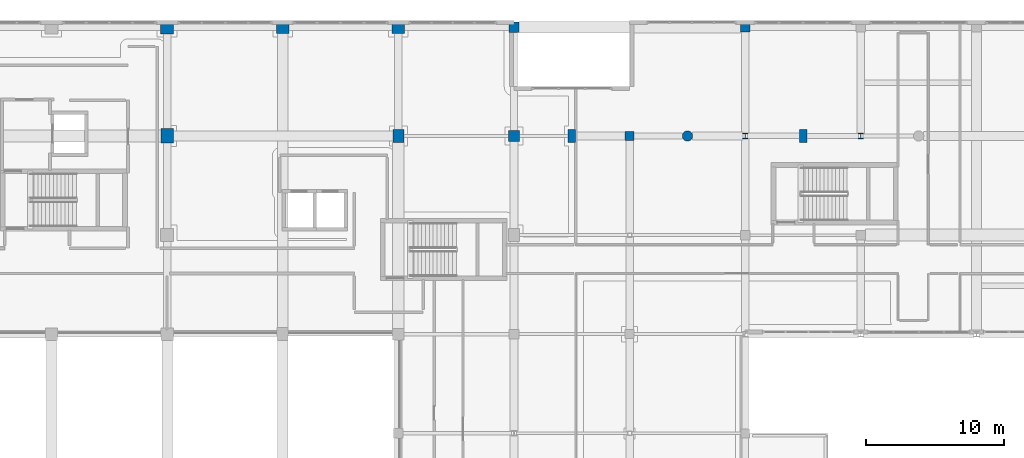
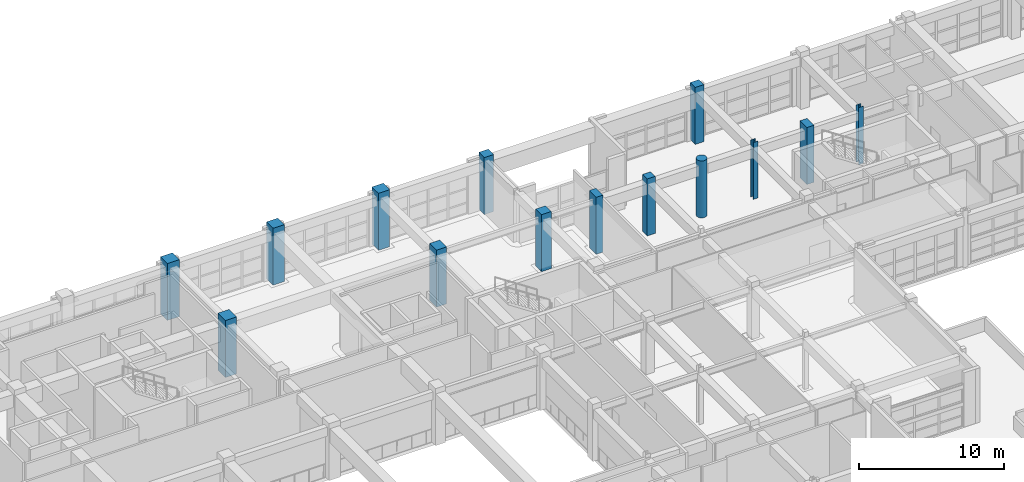
# One storey, part 12 of 123: 14 columns.
"""IFC4 building model written with IfcOpenShell, lengths in metres."""

from ifc_helpers import new_model, si_unit, direction, frame, origin, origin_2d, place, context, subcontext, project, spatial, rectangle, circle, i_section, extrude, material, material_profile, profile_set, type_object, element, save


model = new_model("IFC4")

# Units and contexts
model_context = context("Model", 3, precision=1e-05, world=origin(), true_north=direction((0.0, 1.0)))
body_context = subcontext(model_context, "Body", "Model", "MODEL_VIEW")
ifc_project = project(units=[si_unit("LENGTHUNIT", "METRE"), si_unit("AREAUNIT", "SQUARE_METRE"), si_unit("VOLUMEUNIT", "CUBIC_METRE"), si_unit("PLANEANGLEUNIT", "RADIAN"), si_unit("MASSUNIT", "GRAM", prefix="KILO")], contexts=[model_context])

# Site, building, storey
site_placement = place(None, origin())
site = spatial("IfcSite", under=ifc_project, at=site_placement, CompositionType="ELEMENT")
building_placement = place(site_placement, origin())
building = spatial("IfcBuilding", under=site, at=building_placement, Name="Quendrovan Civic Courthouse", CompositionType="ELEMENT")
storey_placement = place(building_placement, frame((0.0, 0.0, 5.39990234375)))
storey = spatial("IfcBuildingStorey", under=building, at=storey_placement, Name="L02", CompositionType="ELEMENT", Elevation=5.39990234375)

# Columns
ifc_material_1 = material(Name="Precast concrete C45/55", Category="concrete")
ifc_material_profile_1 = material_profile(ifc_material_1, circle(Radius=0.375, at=origin_2d()), Name="RC-ARCADE-D750")
ifc_profile_set_1 = profile_set([ifc_material_profile_1], Name="Precast concrete C45/55")
column_type_1 = type_object("IfcColumnType", Name="COL-ARC750", PredefinedType="PILASTER", material=ifc_profile_set_1)
column_1_placement = place(storey_placement, frame((105.0, 102.0, 0.0), z_axis=(0.0, 0.0, 1.0), x_axis=(1.0, 0.0, 0.0)))
element("IfcColumn", 1, at=column_1_placement, inside=storey, type_object=column_type_1, Name="L02 Column PIL-N4", PredefinedType="PILASTER", context=body_context, shape_type="SweptSolid", body=[
    extrude(circle(Radius=0.375, at=origin_2d()), origin(), (0.0, 0.0, 1.0), 4.800048828125),
])
ifc_material_2 = material(Name="Concrete C45/55", Category="concrete")
ifc_material_profile_2 = material_profile(ifc_material_2, rectangle(XDim=0.550048828125, YDim=0.949951171875, at=origin_2d()), Name="RC-PIER-550x950")
ifc_profile_set_2 = profile_set([ifc_material_profile_2], Name="Concrete C45/55")
column_type_2 = type_object("IfcColumnType", Name="COL-PIER950", PredefinedType="PILASTER", material=ifc_profile_set_2)
for number, where, z_axis, x_axis, name in (
    (2, (96.60009765625, 102.0, 0.0), (0.0, 0.0, 1.0), (1.0, 0.0, 0.0), "L02 Column PIL-N3"),
    (3, (113.39990234375, 102.0, 0.0), (0.0, 0.0, 1.0), (1.0, 0.0, 0.0), "L02 Column PIL-N5"),
):
    element("IfcColumn", number, at=place(storey_placement, frame(where, z_axis=z_axis, x_axis=x_axis)), inside=storey, type_object=column_type_2, Name=name, PredefinedType="PILASTER", context=body_context, shape_type="SweptSolid", body=[
        extrude(rectangle(XDim=0.550048828125, YDim=0.949951171875, at=origin_2d()), origin(), (0.0, 0.0, 1.0), 4.800048828125),
    ])
ifc_material_profile_3 = material_profile(ifc_material_2, rectangle(XDim=0.800048828125, YDim=0.949951171875, at=origin_2d()), Name="RC-COL-800x950")
ifc_profile_set_3 = profile_set([ifc_material_profile_3], Name="Concrete C45/55")
column_type_3 = type_object("IfcColumnType", Name="COL-RC-800x950", PredefinedType="COLUMN", material=ifc_profile_set_3)
column_2_placement = place(storey_placement, frame((84.0, 102.0, 0.0), z_axis=(0.0, 0.0, 1.0), x_axis=(1.0, 0.0, 0.0)))
element("IfcColumn", 4, at=column_2_placement, inside=storey, type_object=column_type_3, Name="L02 Column 11-P", PredefinedType="COLUMN", context=body_context, shape_type="SweptSolid", body=[
    extrude(rectangle(XDim=0.800048828125, YDim=0.949951171875, at=origin_2d()), origin(), (0.0, 0.0, 1.0), 4.800048828125),
])
ifc_material_profile_4 = material_profile(ifc_material_2, rectangle(XDim=0.89990234375, YDim=1.050048828125, at=origin_2d()), Name="RC-COL-900x1050")
ifc_profile_set_4 = profile_set([ifc_material_profile_4], Name="Concrete C45/55")
column_type_4 = type_object("IfcColumnType", Name="COL-RC-900x1050", PredefinedType="COLUMN", material=ifc_profile_set_4)
column_3_placement = place(storey_placement, frame((67.199951171875, 102.0, 0.0), z_axis=(0.0, 0.0, 1.0), x_axis=(1.0, 0.0, 0.0)))
element("IfcColumn", 5, at=column_3_placement, inside=storey, type_object=column_type_4, Name="L02 Column 9-P", PredefinedType="COLUMN", context=body_context, shape_type="SweptSolid", body=[
    extrude(rectangle(XDim=0.89990234375, YDim=1.050048828125, at=origin_2d()), origin(), (0.0, 0.0, 1.0), 4.800048828125),
])
ifc_material_profile_5 = material_profile(ifc_material_2, rectangle(XDim=0.64990234375, YDim=0.64990234375, at=origin_2d()), Name="RC-COL-650x650")
ifc_profile_set_5 = profile_set([ifc_material_profile_5], Name="Concrete C45/55")
column_type_5 = type_object("IfcColumnType", Name="COL-RC650", PredefinedType="COLUMN", material=ifc_profile_set_5)
column_4_placement = place(storey_placement, frame((100.800048828125, 102.0, 0.0), z_axis=(0.0, 0.0, 1.0), x_axis=(1.0, 0.0, 0.0)))
element("IfcColumn", 6, at=column_4_placement, inside=storey, type_object=column_type_5, Name="L02 Column 13-P", PredefinedType="COLUMN", context=body_context, shape_type="SweptSolid", body=[
    extrude(rectangle(XDim=0.64990234375, YDim=0.64990234375, at=origin_2d()), origin(), (0.0, 0.0, 1.0), 4.800048828125),
])
ifc_material_profile_6 = material_profile(ifc_material_2, rectangle(XDim=0.699951171875, YDim=0.699951171875, at=origin_2d()), Name="RC-COL-700x700")
ifc_profile_set_6 = profile_set([ifc_material_profile_6], Name="Concrete C45/55")
column_type_6 = type_object("IfcColumnType", Name="COL-RC700", PredefinedType="COLUMN", material=ifc_profile_set_6)
column_5_placement = place(storey_placement, frame((109.199951171875, 109.89990234375, 0.0), z_axis=(0.0, 0.0, 1.0), x_axis=(1.0, 0.0, 0.0)))
element("IfcColumn", 7, at=column_5_placement, inside=storey, type_object=column_type_6, Name="L02 Column 14-Q", PredefinedType="COLUMN", context=body_context, shape_type="SweptSolid", body=[
    extrude(rectangle(XDim=0.699951171875, YDim=0.699951171875, at=origin_2d()), origin(), (0.0, 0.0, 1.0), 4.800048828125),
])
ifc_material_profile_7 = material_profile(ifc_material_2, rectangle(XDim=0.75, YDim=0.75, at=origin_2d()), Name="RC-COL-750x750")
ifc_profile_set_7 = profile_set([ifc_material_profile_7], Name="Concrete C45/55")
column_type_7 = type_object("IfcColumnType", Name="COL-RC750", PredefinedType="COLUMN", material=ifc_profile_set_7)
column_6_placement = place(storey_placement, frame((92.39990234375, 109.89990234375, 0.0), z_axis=(0.0, 0.0, 1.0), x_axis=(1.0, 0.0, 0.0)))
element("IfcColumn", 8, at=column_6_placement, inside=storey, type_object=column_type_7, Name="L02 Column 12-Q", PredefinedType="COLUMN", context=body_context, shape_type="SweptSolid", body=[
    extrude(rectangle(XDim=0.75, YDim=0.75, at=origin_2d()), origin(), (0.0, 0.0, 1.0), 4.800048828125),
])
ifc_material_profile_8 = material_profile(ifc_material_2, rectangle(XDim=0.800048828125, YDim=0.800048828125, at=origin_2d()), Name="RC-COL-800x800")
ifc_profile_set_8 = profile_set([ifc_material_profile_8], Name="Concrete C45/55")
column_type_8 = type_object("IfcColumnType", Name="COL-RC800", PredefinedType="COLUMN", material=ifc_profile_set_8)
column_7_placement = place(storey_placement, frame((92.39990234375, 102.0, 0.0), z_axis=(0.0, 0.0, 1.0), x_axis=(1.0, 0.0, 0.0)))
element("IfcColumn", 9, at=column_7_placement, inside=storey, type_object=column_type_8, Name="L02 Column 12-P", PredefinedType="COLUMN", context=body_context, shape_type="SweptSolid", body=[
    extrude(rectangle(XDim=0.800048828125, YDim=0.800048828125, at=origin_2d()), origin(), (0.0, 0.0, 1.0), 4.800048828125),
])
ifc_material_profile_9 = material_profile(ifc_material_2, rectangle(XDim=0.89990234375, YDim=0.89990234375, at=origin_2d()), Name="RC-COL-900x900")
ifc_profile_set_9 = profile_set([ifc_material_profile_9], Name="Concrete C45/55")
column_type_9 = type_object("IfcColumnType", Name="COL-RC900", PredefinedType="COLUMN", material=ifc_profile_set_9)
for number, where, z_axis, x_axis, name in (
    (10, (75.60009765625, 109.89990234375, 0.0), (0.0, 0.0, 1.0), (1.0, 0.0, 0.0), "L02 Column 10-Q"),
    (11, (84.0, 109.89990234375, 0.0), (0.0, 0.0, 1.0), (1.0, 0.0, 0.0), "L02 Column 11-Q"),
):
    element("IfcColumn", number, at=place(storey_placement, frame(where, z_axis=z_axis, x_axis=x_axis)), inside=storey, type_object=column_type_9, Name=name, PredefinedType="COLUMN", context=body_context, shape_type="SweptSolid", body=[
        extrude(rectangle(XDim=0.89990234375, YDim=0.89990234375, at=origin_2d()), origin(), (0.0, 0.0, 1.0), 4.800048828125),
    ])
ifc_material_profile_10 = material_profile(ifc_material_2, rectangle(XDim=0.949951171875, YDim=0.949951171875, at=origin_2d()), Name="RC-COL-950x950")
ifc_profile_set_10 = profile_set([ifc_material_profile_10], Name="Concrete C45/55")
column_type_10 = type_object("IfcColumnType", Name="COL-RC950", PredefinedType="COLUMN", material=ifc_profile_set_10)
column_8_placement = place(storey_placement, frame((67.199951171875, 109.89990234375, 0.0), z_axis=(0.0, 0.0, 1.0), x_axis=(1.0, 0.0, 0.0)))
element("IfcColumn", 12, at=column_8_placement, inside=storey, type_object=column_type_10, Name="L02 Column 9-Q", PredefinedType="COLUMN", context=body_context, shape_type="SweptSolid", body=[
    extrude(rectangle(XDim=0.949951171875, YDim=0.949951171875, at=origin_2d()), origin(), (0.0, 0.0, 1.0), 4.800048828125),
])
ifc_material_3 = material(Name="Steel ASTM A992 Grade 50", Category="steel")
ifc_material_profile_11 = material_profile(ifc_material_3, i_section(OverallWidth=0.3740234375, OverallDepth=0.3720703125, WebThickness=0.016357421875, FlangeThickness=0.026123046875, at=origin_2d()), Name="W14X132")
ifc_profile_set_11 = profile_set([ifc_material_profile_11], Name="Steel ASTM A992 Grade 50")
column_type_11 = type_object("IfcColumnType", Name="COL-STL-W14X132", PredefinedType="COLUMN", material=ifc_profile_set_11)
for number, where, z_axis, x_axis, name in (
    (13, (109.199951171875, 102.0, 0.0), (0.0, 0.0, 1.0), (1.0, 0.0, 0.0), "L02 Column 14-P"),
    (14, (117.60009765625, 102.0, 0.0), (0.0, 0.0, 1.0), (1.0, 0.0, 0.0), "L02 Column 15-P"),
):
    element("IfcColumn", number, at=place(storey_placement, frame(where, z_axis=z_axis, x_axis=x_axis)), inside=storey, type_object=column_type_11, Name=name, PredefinedType="COLUMN", context=body_context, shape_type="SweptSolid", body=[
        extrude(i_section(OverallWidth=0.3740234375, OverallDepth=0.3720703125, WebThickness=0.016357421875, FlangeThickness=0.026123046875, at=origin_2d()), origin(), (0.0, 0.0, 1.0), 4.800048828125),
    ])

save(model, "model.ifc")
